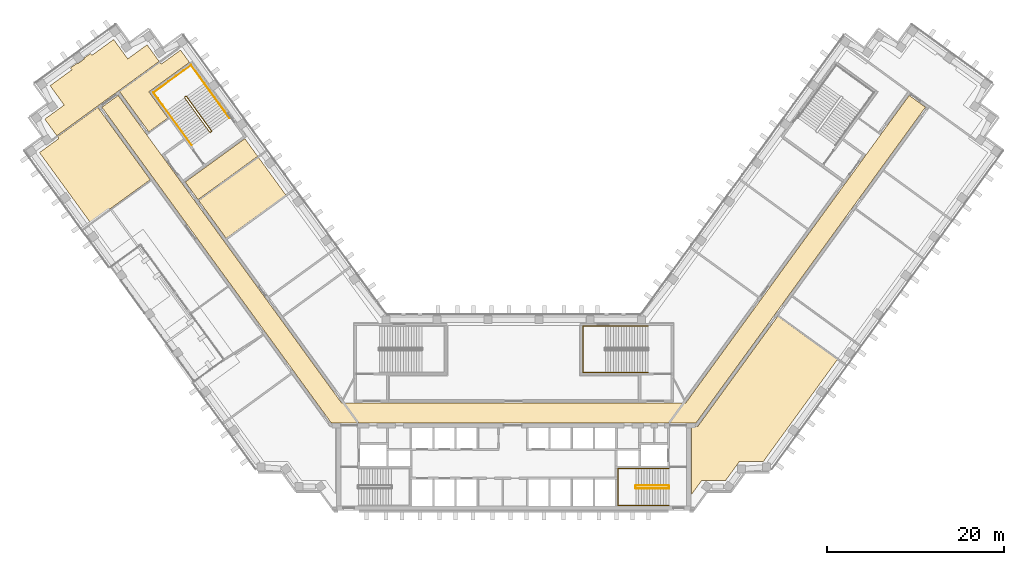
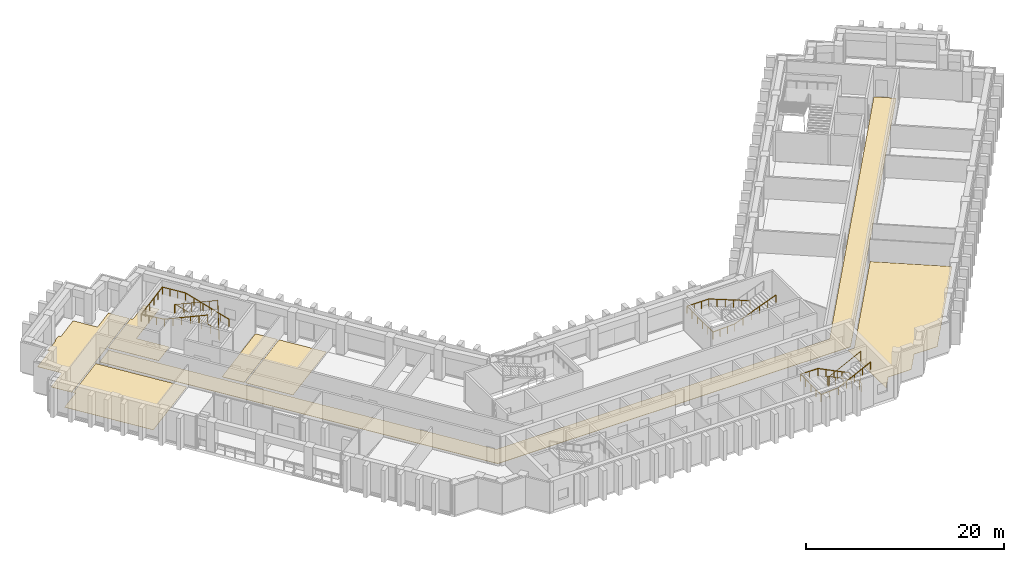
# One storey, part 15 of 16: 7 coverings, 5 railings.
"""IFC4 building model written with IfcOpenShell, lengths in metres."""

from ifc_helpers import new_model, si_unit, direction, frame, origin, origin_2d, place, context, subcontext, project, spatial, polyline, circle, outline, extrude, material, layer, layer_set, type_object, element, save


model = new_model("IFC4")

# Units and contexts
model_context = context("Model", 3, precision=1e-05, world=origin(), true_north=direction((0.0, 1.0)))
body_context = subcontext(model_context, "Body", "Model", "MODEL_VIEW")
ifc_project = project(units=[si_unit("LENGTHUNIT", "METRE"), si_unit("AREAUNIT", "SQUARE_METRE"), si_unit("VOLUMEUNIT", "CUBIC_METRE"), si_unit("PLANEANGLEUNIT", "RADIAN"), si_unit("MASSUNIT", "GRAM", prefix="KILO")], contexts=[model_context])

# Site, building, storey
site_placement = place(None, origin())
site = spatial("IfcSite", under=ifc_project, at=site_placement, CompositionType="ELEMENT")
building_placement = place(site_placement, origin())
building = spatial("IfcBuilding", under=site, at=building_placement, Name="Quipu Civic Tower", CompositionType="ELEMENT")
storey_placement = place(building_placement, frame((0.0, 0.0, 51.0)))
storey = spatial("IfcBuildingStorey", under=building, at=storey_placement, Name="L11", CompositionType="ELEMENT", Elevation=51.0)

# Coverings
ifc_material_1 = material(Name="Carpet tile on raised access floor")
ifc_layer_1 = layer(ifc_material_1, 0.02001953125)
ifc_layer_set_1 = layer_set([ifc_layer_1], Name="Carpet tile on raised access floor")
covering_type_1 = type_object("IfcCoveringType", Name="Carpet tile floor finish 20", PredefinedType="FLOORING", material=ifc_layer_set_1)
covering_1_placement = place(storey_placement, origin())
element("IfcCovering", 1, at=covering_1_placement, inside=storey, type_object=covering_type_1, Name="Carpet tile floor finish 20", PredefinedType="FLOORING", context=body_context, shape_type="SweptSolid", body=[
    extrude(outline(polyline([(-44.445068359375, 36.23193359375), (-39.906005859375, 39.530029296875), (-39.757080078125, 39.327880859375), (-37.573974609375, 40.9130859375), (-36.570068359375, 39.530029296875), (-41.139892578125, 36.208984375), (-38.998046875, 33.260009765625), (-41.15087890625, 31.697021484375), (-44.445068359375, 36.23193359375)])), origin(), (0.0, 0.0, 1.0), 0.02001953125),
])
covering_2_placement = place(storey_placement, origin())
element("IfcCovering", 2, at=covering_2_placement, inside=storey, type_object=covering_type_1, Name="Carpet tile floor finish 20", PredefinedType="FLOORING", context=body_context, shape_type="SweptSolid", body=[
    extrude(outline(polyline([(-53.47998046875, 29.35791015625), (-51.298095703125, 30.943115234375), (-51.443115234375, 31.14599609375), (-46.904052734375, 34.444091796875), (-40.988037109375, 26.301025390625), (-47.7119140625, 21.41796875), (-53.47998046875, 29.35791015625)])), origin(), (0.0, 0.0, 1.0), 0.02001953125),
])
covering_3_placement = place(storey_placement, origin())
element("IfcCovering", 3, at=covering_3_placement, inside=storey, type_object=covering_type_1, Name="Carpet tile floor finish 20", PredefinedType="FLOORING", context=body_context, shape_type="SweptSolid", body=[
    extrude(outline(polyline([(20.070068359375, -9.195068359375), (20.070068359375, -1.52001953125), (20.77490234375, -1.51904296875), (29.7958984375, 10.89794921875), (36.52001953125, 6.013916015625), (28.181884765625, -5.4609375), (25.48193359375, -5.4619140625), (25.2080078125, -5.840087890625), (25.205078125, -5.841064453125), (25.200927734375, -5.843017578125), (25.197021484375, -5.844970703125), (25.193115234375, -5.847900390625), (25.18896484375, -5.85205078125), (25.18603515625, -5.85498046875), (25.18310546875, -5.85888671875), (25.179931640625, -5.863037109375), (25.177978515625, -5.867919921875), (25.177001953125, -5.8720703125), (25.175048828125, -5.876953125), (25.175048828125, -5.882080078125), (25.174072265625, -5.885986328125), (23.89501953125, -7.64599609375), (21.721923828125, -7.64599609375), (21.721923828125, -7.64599609375), (21.718017578125, -7.64306640625), (21.712890625, -7.64111328125), (21.708984375, -7.638916015625), (21.7041015625, -7.637939453125), (21.698974609375, -7.636962890625), (21.694091796875, -7.635986328125), (21.68896484375, -7.636962890625), (21.68408203125, -7.636962890625), (21.679931640625, -7.637939453125), (21.675048828125, -7.639892578125), (21.669921875, -7.64111328125), (21.666015625, -7.64404296875), (21.6630859375, -7.64599609375), (21.196044921875, -7.64599609375), (20.070068359375, -9.195068359375)])), origin(), (0.0, 0.0, 1.0), 0.02001953125),
])
covering_4_placement = place(storey_placement, origin())
element("IfcCovering", 4, at=covering_4_placement, inside=storey, type_object=covering_type_1, Name="Carpet tile floor finish 20", PredefinedType="FLOORING", context=body_context, shape_type="SweptSolid", body=[
    extrude(outline(polyline([(-35.512939453125, 23.93896484375), (-28.7900390625, 28.822021484375), (-25.698974609375, 24.56689453125), (-32.422119140625, 19.68310546875), (-35.512939453125, 23.93896484375)])), origin(), (0.0, 0.0, 1.0), 0.02001953125),
])
covering_5_placement = place(storey_placement, origin())
element("IfcCovering", 5, at=covering_5_placement, inside=storey, type_object=covering_type_1, Name="Carpet tile floor finish 20", PredefinedType="FLOORING", context=body_context, shape_type="SweptSolid", body=[
    extrude(outline(polyline([(-52.883056640625, 33.12890625), (-50.698974609375, 34.717041015625), (-52.284912109375, 36.90087890625), (-49.826904296875, 38.68603515625), (-49.97900390625, 38.89697265625), (-49.259033203125, 39.4208984375), (-49.236083984375, 39.388916015625), (-49.23291015625, 39.385009765625), (-49.22900390625, 39.382080078125), (-49.22607421875, 39.3779296875), (-49.220947265625, 39.3759765625), (-49.217041015625, 39.373046875), (-49.212890625, 39.37109375), (-49.2080078125, 39.3701171875), (-49.202880859375, 39.368896484375), (-49.197998046875, 39.367919921875), (-49.193115234375, 39.367919921875), (-49.18896484375, 39.368896484375), (-49.18408203125, 39.3701171875), (-49.178955078125, 39.37109375), (-49.174072265625, 39.373046875), (-49.169921875, 39.375), (-49.166015625, 39.3779296875), (-48.43798828125, 39.906982421875), (-48.43408203125, 39.909912109375), (-48.430908203125, 39.9130859375), (-48.427001953125, 39.9169921875), (-48.425048828125, 39.9208984375), (-48.422119140625, 39.926025390625), (-48.419921875, 39.929931640625), (-48.4189453125, 39.93505859375), (-48.41796875, 39.93994140625), (-48.4169921875, 39.944091796875), (-48.4169921875, 39.948974609375), (-48.41796875, 39.9541015625), (-48.4189453125, 39.958984375), (-48.419921875, 39.964111328125), (-48.422119140625, 39.968017578125), (-48.424072265625, 39.972900390625), (-48.427001953125, 39.97705078125), (-48.449951171875, 40.008056640625), (-47.72900390625, 40.531982421875), (-47.574951171875, 40.322021484375), (-45.116943359375, 42.10791015625), (-43.531982421875, 39.925048828125), (-41.346923828125, 41.510986328125), (-39.989013671875, 39.64208984375), (-51.52587890625, 31.260009765625), (-52.883056640625, 33.12890625)])), origin(), (0.0, 0.0, 1.0), 0.02001953125),
])
ifc_material_2 = material(Name="Ceramic floor tile")
ifc_layer_2 = layer(ifc_material_2, 0.030029296875)
ifc_layer_set_2 = layer_set([ifc_layer_2], Name="Ceramic floor tile")
covering_type_2 = type_object("IfcCoveringType", Name="Ceramic tile floor finish 30", PredefinedType="FLOORING", material=ifc_layer_set_2)
covering_6_placement = place(storey_placement, origin())
element("IfcCovering", 6, at=covering_6_placement, inside=storey, type_object=covering_type_2, Name="Ceramic tile floor finish 30", PredefinedType="FLOORING", context=body_context, shape_type="SweptSolid", body=[
    extrude(outline(polyline([(-37.0380859375, 26.0380859375), (-30.31494140625, 30.922119140625), (-28.873046875, 28.93505859375), (-35.595947265625, 24.052001953125), (-37.0380859375, 26.0380859375)])), origin(), (0.0, 0.0, 1.0), 0.030029296875),
])

# Railings
ifc_material_3 = material(Name="Stainless steel", Category="steel")
railing_type_1 = type_object("IfcRailingType", Name="Stair guard 1100", PredefinedType="GUARDRAIL", material=ifc_material_3)
railing_1_placement = place(storey_placement, frame((17.5, -8.199951171875, 0.15380859375)))
element("IfcRailing", 7, at=railing_1_placement, inside=storey, type_object=railing_type_1, Name="Stair 2 guard", PredefinedType="GUARDRAIL", context=body_context, shape_type="SweptSolid", body=[
    extrude(circle(Radius=0.02392578125, at=origin_2d()), frame((0.0, 0.0, 1.076171875), z_axis=(-0.895751851347, 0.0, 0.444554407028), x_axis=(0.0, -1.0, 0.0)), (0.0, 0.0, 1.0), 4.15283203125),
    extrude(circle(Radius=0.02392578125, at=origin_2d()), frame((-3.719970703125, 0.0, 2.92236328125), z_axis=(-0.707106781187, -0.707106781187, 0.0), x_axis=(0.707106781187, -0.707106781187, 0.0)), (0.0, 0.0, 1.0), 0.07080078125),
    extrude(circle(Radius=0.02392578125, at=origin_2d()), frame((-3.77001953125, -0.050048828125, 2.92236328125), z_axis=(0.0, -1.0, 0.0), x_axis=(1.0, 0.0, 0.0)), (0.0, 0.0, 1.0), 0.25),
    extrude(circle(Radius=0.02392578125, at=origin_2d()), frame((-3.77001953125, -0.300048828125, 2.92236328125), z_axis=(0.295599637079, -0.295599637079, 0.908428152975), x_axis=(0.707106781187, 0.707106781187, 0.0)), (0.0, 0.0, 1.0), 0.16943359375),
    extrude(circle(Radius=0.02392578125, at=origin_2d()), frame((-3.719970703125, -0.35009765625, 3.076171875), z_axis=(0.895751851347, 0.0, 0.444554407028), x_axis=(0.0, 1.0, 0.0)), (0.0, 0.0, 1.0), 4.15283203125),
    extrude(circle(Radius=0.02392578125, at=origin_2d()), frame((0.0, -0.35009765625, 4.92236328125), z_axis=(0.012476181752, 0.074796231092, -0.997120789425), x_axis=(-0.986372223864, 0.164529134168, 0.0)), (0.0, 0.0, 1.0), 4.011474609375),
    extrude(circle(Radius=0.02392578125, at=origin_2d()), frame((0.050048828125, -0.050048828125, 0.92236328125), z_axis=(0.0, -1.0, 0.0), x_axis=(1.0, 0.0, 0.0)), (0.0, 0.0, 1.0), 0.25),
    extrude(circle(Radius=0.02099609375, at=origin_2d()), origin(), (0.0, 0.0, 1.0), 1.052001953125),
    extrude(circle(Radius=0.02099609375, at=origin_2d()), frame((-0.929931640625, 0.0, 0.46142578125)), (0.0, 0.0, 1.0), 1.052001953125),
    extrude(circle(Radius=0.02099609375, at=origin_2d()), frame((-1.85986328125, 0.0, 0.923095703125)), (0.0, 0.0, 1.0), 1.052001953125),
    extrude(circle(Radius=0.02099609375, at=origin_2d()), frame((-2.7900390625, 0.0, 1.384765625)), (0.0, 0.0, 1.0), 1.052001953125),
    extrude(circle(Radius=0.02099609375, at=origin_2d()), frame((-3.719970703125, 0.0, 1.84619140625)), (0.0, 0.0, 1.0), 1.052001953125),
    extrude(circle(Radius=0.02099609375, at=origin_2d()), frame((-3.77001953125, -0.050048828125, 1.84619140625)), (0.0, 0.0, 1.0), 1.052001953125),
    extrude(circle(Radius=0.02099609375, at=origin_2d()), frame((-3.77001953125, -0.300048828125, 1.84619140625)), (0.0, 0.0, 1.0), 1.052001953125),
    extrude(circle(Radius=0.02099609375, at=origin_2d()), frame((-3.719970703125, -0.35009765625, 2.0)), (0.0, 0.0, 1.0), 1.052001953125),
    extrude(circle(Radius=0.02099609375, at=origin_2d()), frame((-2.7900390625, -0.35009765625, 2.46142578125)), (0.0, 0.0, 1.0), 1.052001953125),
    extrude(circle(Radius=0.02099609375, at=origin_2d()), frame((-1.85986328125, -0.35009765625, 2.923095703125)), (0.0, 0.0, 1.0), 1.052001953125),
    extrude(circle(Radius=0.02099609375, at=origin_2d()), frame((-0.929931640625, -0.35009765625, 3.384765625)), (0.0, 0.0, 1.0), 1.052001953125),
    extrude(circle(Radius=0.02099609375, at=origin_2d()), frame((0.0, -0.35009765625, 3.84619140625)), (0.0, 0.0, 1.0), 1.052001953125),
    extrude(circle(Radius=0.02099609375, at=origin_2d()), frame((0.012451171875, -0.275146484375, 2.84619140625)), (0.0, 0.0, 1.0), 1.052001953125),
    extrude(circle(Radius=0.02099609375, at=origin_2d()), frame((0.02490234375, -0.2001953125, 1.84619140625)), (0.0, 0.0, 1.0), 1.052001953125),
    extrude(circle(Radius=0.02099609375, at=origin_2d()), frame((0.03759765625, -0.125, 0.84619140625)), (0.0, 0.0, 1.0), 1.052001953125),
    extrude(circle(Radius=0.02099609375, at=origin_2d()), frame((0.050048828125, -0.050048828125, -0.15380859375)), (0.0, 0.0, 1.0), 1.052001953125),
    extrude(circle(Radius=0.02099609375, at=origin_2d()), frame((0.050048828125, -0.300048828125, -0.15380859375)), (0.0, 0.0, 1.0), 1.052001953125),
])
railing_2_placement = place(storey_placement, frame((-34.078857421875, 31.79736328125, 0.11767578125)))
element("IfcRailing", 8, at=railing_2_placement, inside=storey, type_object=railing_type_1, Name="Stair 6 guard", PredefinedType="GUARDRAIL", context=body_context, shape_type="SweptSolid", body=[
    extrude(circle(Radius=0.02392578125, at=origin_2d()), frame((0.0, 0.0, 1.076171875), z_axis=(-0.54720100349, 0.753182689643, 0.365084781664), x_axis=(-0.809026317077, -0.587772420479, 0.0)), (0.0, 0.0, 1.0), 5.15576171875),
    extrude(circle(Radius=0.02392578125, at=origin_2d()), frame((-2.8212890625, 3.88330078125, 2.95849609375), z_axis=(-0.987846838465, 0.155430446612, 0.0), x_axis=(-0.155430446612, -0.987846838465, 0.0)), (0.0, 0.0, 1.0), 0.07080078125),
    extrude(circle(Radius=0.02392578125, at=origin_2d()), frame((-2.89111328125, 3.894287109375, 2.95849609375), z_axis=(-0.809649071907, -0.586914287065, 0.0), x_axis=(0.586914287065, -0.809649071907, 0.0)), (0.0, 0.0, 1.0), 0.150146484375),
    extrude(circle(Radius=0.02392578125, at=origin_2d()), frame((-3.0126953125, 3.80615234375, 2.95849609375), z_axis=(-0.080033047627, -0.508654480474, 0.857242865693), x_axis=(0.987846838465, -0.155430446612, 0.0)), (0.0, 0.0, 1.0), 0.13720703125),
    extrude(circle(Radius=0.02392578125, at=origin_2d()), frame((-3.023681640625, 3.736328125, 3.076171875), z_axis=(0.54720100349, -0.753182689643, 0.365084781664), x_axis=(0.809026317077, 0.587772420479, 0.0)), (0.0, 0.0, 1.0), 5.15576171875),
    extrude(circle(Radius=0.02392578125, at=origin_2d()), frame((-0.202392578125, -0.14697265625, 4.95849609375), z_axis=(0.047788004556, 0.019261491632, -0.998671768681), x_axis=(-0.373837031195, 0.92749440651, 0.0)), (0.0, 0.0, 1.0), 4.00537109375),
    extrude(circle(Radius=0.02392578125, at=origin_2d()), frame((-0.010986328125, -0.06982421875, 0.95849609375), z_axis=(-0.809087927272, -0.587687609145, 0.0), x_axis=(0.587687609145, -0.809087927272, 0.0)), (0.0, 0.0, 1.0), 0.14990234375),
    extrude(circle(Radius=0.02099609375, at=origin_2d()), origin(), (0.0, 0.0, 1.0), 1.052001953125),
    extrude(circle(Radius=0.02099609375, at=origin_2d()), frame((-0.564208984375, 0.776611328125, 0.37646484375)), (0.0, 0.0, 1.0), 1.052001953125),
    extrude(circle(Radius=0.02099609375, at=origin_2d()), frame((-1.12841796875, 1.55322265625, 0.7529296875)), (0.0, 0.0, 1.0), 1.052001953125),
    extrude(circle(Radius=0.02099609375, at=origin_2d()), frame((-1.69287109375, 2.330078125, 1.12939453125)), (0.0, 0.0, 1.0), 1.052001953125),
    extrude(circle(Radius=0.02099609375, at=origin_2d()), frame((-2.257080078125, 3.106689453125, 1.505859375)), (0.0, 0.0, 1.0), 1.052001953125),
    extrude(circle(Radius=0.02099609375, at=origin_2d()), frame((-2.8212890625, 3.88330078125, 1.88232421875)), (0.0, 0.0, 1.0), 1.052001953125),
    extrude(circle(Radius=0.02099609375, at=origin_2d()), frame((-2.89111328125, 3.894287109375, 1.88232421875)), (0.0, 0.0, 1.0), 1.052001953125),
    extrude(circle(Radius=0.02099609375, at=origin_2d()), frame((-3.0126953125, 3.80615234375, 1.88232421875)), (0.0, 0.0, 1.0), 1.052001953125),
    extrude(circle(Radius=0.02099609375, at=origin_2d()), frame((-3.023681640625, 3.736328125, 2.0)), (0.0, 0.0, 1.0), 1.052001953125),
    extrude(circle(Radius=0.02099609375, at=origin_2d()), frame((-2.45947265625, 2.959716796875, 2.37646484375)), (0.0, 0.0, 1.0), 1.052001953125),
    extrude(circle(Radius=0.02099609375, at=origin_2d()), frame((-1.895263671875, 2.18310546875, 2.7529296875)), (0.0, 0.0, 1.0), 1.052001953125),
    extrude(circle(Radius=0.02099609375, at=origin_2d()), frame((-1.330810546875, 1.40625, 3.12939453125)), (0.0, 0.0, 1.0), 1.052001953125),
    extrude(circle(Radius=0.02099609375, at=origin_2d()), frame((-0.7666015625, 0.629638671875, 3.505859375)), (0.0, 0.0, 1.0), 1.052001953125),
    extrude(circle(Radius=0.02099609375, at=origin_2d()), frame((-0.202392578125, -0.14697265625, 3.88232421875)), (0.0, 0.0, 1.0), 1.052001953125),
    extrude(circle(Radius=0.02099609375, at=origin_2d()), frame((-0.154541015625, -0.127685546875, 2.88232421875)), (0.0, 0.0, 1.0), 1.052001953125),
    extrude(circle(Radius=0.02099609375, at=origin_2d()), frame((-0.106689453125, -0.1083984375, 1.88232421875)), (0.0, 0.0, 1.0), 1.052001953125),
    extrude(circle(Radius=0.02099609375, at=origin_2d()), frame((-0.058837890625, -0.089111328125, 0.88232421875)), (0.0, 0.0, 1.0), 1.052001953125),
    extrude(circle(Radius=0.02099609375, at=origin_2d()), frame((-0.010986328125, -0.06982421875, -0.11767578125)), (0.0, 0.0, 1.0), 1.052001953125),
    extrude(circle(Radius=0.02099609375, at=origin_2d()), frame((-0.13232421875, -0.157958984375, -0.11767578125)), (0.0, 0.0, 1.0), 1.052001953125),
])
ifc_material_4 = material(Name="Stainless steel", Category="steel")
railing_type_2 = type_object("IfcRailingType", Name="Stair handrail", PredefinedType="HANDRAIL", material=ifc_material_4)
railing_3_placement = place(storey_placement, frame((17.5, -6.300048828125, 0.15380859375)))
element("IfcRailing", 9, at=railing_3_placement, inside=storey, type_object=railing_type_2, Name="Stair 2 handrail", PredefinedType="HANDRAIL", context=body_context, shape_type="SweptSolid", body=[
    extrude(circle(Radius=0.02392578125, at=origin_2d()), frame((0.0, 0.0, 0.8759765625), z_axis=(-0.895751851347, 0.0, 0.444554407028), x_axis=(0.0, -1.0, 0.0)), (0.0, 0.0, 1.0), 4.15283203125),
    extrude(circle(Radius=0.02392578125, at=origin_2d()), frame((-3.719970703125, 0.0, 2.72216796875), z_axis=(-1.0, 0.0, 0.0), x_axis=(0.0, -1.0, 0.0)), (0.0, 0.0, 1.0), 2.030029296875),
    extrude(circle(Radius=0.02392578125, at=origin_2d()), frame((-5.75, 0.0, 2.72216796875), z_axis=(0.0, -1.0, 0.0), x_axis=(1.0, 0.0, 0.0)), (0.0, 0.0, 1.0), 4.14990234375),
    extrude(circle(Radius=0.02392578125, at=origin_2d()), frame((-5.75, -4.14990234375, 2.72216796875), z_axis=(0.997142003663, 0.0, 0.075550145798), x_axis=(0.0, 1.0, 0.0)), (0.0, 0.0, 1.0), 2.035888671875),
    extrude(circle(Radius=0.02392578125, at=origin_2d()), frame((-3.719970703125, -4.14990234375, 2.8759765625), z_axis=(0.895751851347, 0.0, 0.444554407028), x_axis=(0.0, 1.0, 0.0)), (0.0, 0.0, 1.0), 4.15283203125),
    extrude(circle(Radius=0.02099609375, at=origin_2d()), origin(), (0.0, 0.0, 1.0), 0.851806640625),
    extrude(circle(Radius=0.02099609375, at=origin_2d()), frame((-0.929931640625, 0.0, 0.46142578125)), (0.0, 0.0, 1.0), 0.851806640625),
    extrude(circle(Radius=0.02099609375, at=origin_2d()), frame((-1.85986328125, 0.0, 0.923095703125)), (0.0, 0.0, 1.0), 0.851806640625),
    extrude(circle(Radius=0.02099609375, at=origin_2d()), frame((-2.7900390625, 0.0, 1.384765625)), (0.0, 0.0, 1.0), 0.851806640625),
    extrude(circle(Radius=0.02099609375, at=origin_2d()), frame((-3.719970703125, 0.0, 1.84619140625)), (0.0, 0.0, 1.0), 0.851806640625),
    extrude(circle(Radius=0.02099609375, at=origin_2d()), frame((-4.73486328125, 0.0, 1.84619140625)), (0.0, 0.0, 1.0), 0.851806640625),
    extrude(circle(Radius=0.02099609375, at=origin_2d()), frame((-5.75, 0.0, 1.84619140625)), (0.0, 0.0, 1.0), 0.851806640625),
    extrude(circle(Radius=0.02099609375, at=origin_2d()), frame((-5.75, -1.03759765625, 1.84619140625)), (0.0, 0.0, 1.0), 0.851806640625),
    extrude(circle(Radius=0.02099609375, at=origin_2d()), frame((-5.75, -2.074951171875, 1.84619140625)), (0.0, 0.0, 1.0), 0.851806640625),
    extrude(circle(Radius=0.02099609375, at=origin_2d()), frame((-5.75, -3.1123046875, 1.84619140625)), (0.0, 0.0, 1.0), 0.851806640625),
    extrude(circle(Radius=0.02099609375, at=origin_2d()), frame((-5.75, -4.14990234375, 1.84619140625)), (0.0, 0.0, 1.0), 0.851806640625),
    extrude(circle(Radius=0.02099609375, at=origin_2d()), frame((-4.73486328125, -4.14990234375, 1.923095703125)), (0.0, 0.0, 1.0), 0.851806640625),
    extrude(circle(Radius=0.02099609375, at=origin_2d()), frame((-3.719970703125, -4.14990234375, 2.0)), (0.0, 0.0, 1.0), 0.851806640625),
    extrude(circle(Radius=0.02099609375, at=origin_2d()), frame((-2.7900390625, -4.14990234375, 2.46142578125)), (0.0, 0.0, 1.0), 0.851806640625),
    extrude(circle(Radius=0.02099609375, at=origin_2d()), frame((-1.85986328125, -4.14990234375, 2.923095703125)), (0.0, 0.0, 1.0), 0.851806640625),
    extrude(circle(Radius=0.02099609375, at=origin_2d()), frame((-0.929931640625, -4.14990234375, 3.384765625)), (0.0, 0.0, 1.0), 0.851806640625),
    extrude(circle(Radius=0.02099609375, at=origin_2d()), frame((0.0, -4.14990234375, 3.84619140625)), (0.0, 0.0, 1.0), 0.851806640625),
])
railing_4_placement = place(storey_placement, frame((15.14990234375, 9.800048828125, 0.11767578125)))
element("IfcRailing", 10, at=railing_4_placement, inside=storey, type_object=railing_type_2, Name="Stair 4 handrail", PredefinedType="HANDRAIL", context=body_context, shape_type="SweptSolid", body=[
    extrude(circle(Radius=0.02392578125, at=origin_2d()), frame((0.0, 0.0, 0.8759765625), z_axis=(-0.930970042603, 0.0, 0.365095576219), x_axis=(0.0, -1.0, 0.0)), (0.0, 0.0, 1.0), 5.15576171875),
    extrude(circle(Radius=0.02392578125, at=origin_2d()), frame((-4.7998046875, 0.0, 2.75830078125), z_axis=(-1.0, 0.0, 0.0), x_axis=(0.0, -1.0, 0.0)), (0.0, 0.0, 1.0), 2.550048828125),
    extrude(circle(Radius=0.02392578125, at=origin_2d()), frame((-7.349853515625, 0.0, 2.75830078125), z_axis=(0.0, -1.0, 0.0), x_axis=(1.0, 0.0, 0.0)), (0.0, 0.0, 1.0), 5.25),
    extrude(circle(Radius=0.02392578125, at=origin_2d()), frame((-7.349853515625, -5.25, 2.75830078125), z_axis=(0.998936948642, 0.0, 0.04609742549), x_axis=(0.0, 1.0, 0.0)), (0.0, 0.0, 1.0), 2.552734375),
    extrude(circle(Radius=0.02392578125, at=origin_2d()), frame((-4.7998046875, -5.25, 2.8759765625), z_axis=(0.930970042603, 0.0, 0.365095576219), x_axis=(0.0, 1.0, 0.0)), (0.0, 0.0, 1.0), 5.15576171875),
    extrude(circle(Radius=0.02099609375, at=origin_2d()), origin(), (0.0, 0.0, 1.0), 0.851806640625),
    extrude(circle(Radius=0.02099609375, at=origin_2d()), frame((-0.9599609375, 0.0, 0.37646484375)), (0.0, 0.0, 1.0), 0.851806640625),
    extrude(circle(Radius=0.02099609375, at=origin_2d()), frame((-1.919921875, 0.0, 0.7529296875)), (0.0, 0.0, 1.0), 0.851806640625),
    extrude(circle(Radius=0.02099609375, at=origin_2d()), frame((-2.8798828125, 0.0, 1.12939453125)), (0.0, 0.0, 1.0), 0.851806640625),
    extrude(circle(Radius=0.02099609375, at=origin_2d()), frame((-3.83984375, 0.0, 1.505859375)), (0.0, 0.0, 1.0), 0.851806640625),
    extrude(circle(Radius=0.02099609375, at=origin_2d()), frame((-4.7998046875, 0.0, 1.88232421875)), (0.0, 0.0, 1.0), 0.851806640625),
    extrude(circle(Radius=0.02099609375, at=origin_2d()), frame((-5.64990234375, 0.0, 1.88232421875)), (0.0, 0.0, 1.0), 0.851806640625),
    extrude(circle(Radius=0.02099609375, at=origin_2d()), frame((-6.499755859375, 0.0, 1.88232421875)), (0.0, 0.0, 1.0), 0.851806640625),
    extrude(circle(Radius=0.02099609375, at=origin_2d()), frame((-7.349853515625, 0.0, 1.88232421875)), (0.0, 0.0, 1.0), 0.851806640625),
    extrude(circle(Radius=0.02099609375, at=origin_2d()), frame((-7.349853515625, -1.050048828125, 1.88232421875)), (0.0, 0.0, 1.0), 0.851806640625),
    extrude(circle(Radius=0.02099609375, at=origin_2d()), frame((-7.349853515625, -2.10009765625, 1.88232421875)), (0.0, 0.0, 1.0), 0.851806640625),
    extrude(circle(Radius=0.02099609375, at=origin_2d()), frame((-7.349853515625, -3.14990234375, 1.88232421875)), (0.0, 0.0, 1.0), 0.851806640625),
    extrude(circle(Radius=0.02099609375, at=origin_2d()), frame((-7.349853515625, -4.199951171875, 1.88232421875)), (0.0, 0.0, 1.0), 0.851806640625),
    extrude(circle(Radius=0.02099609375, at=origin_2d()), frame((-7.349853515625, -5.25, 1.88232421875)), (0.0, 0.0, 1.0), 0.851806640625),
    extrude(circle(Radius=0.02099609375, at=origin_2d()), frame((-6.499755859375, -5.25, 1.921630859375)), (0.0, 0.0, 1.0), 0.851806640625),
    extrude(circle(Radius=0.02099609375, at=origin_2d()), frame((-5.64990234375, -5.25, 1.960693359375)), (0.0, 0.0, 1.0), 0.851806640625),
    extrude(circle(Radius=0.02099609375, at=origin_2d()), frame((-4.7998046875, -5.25, 2.0)), (0.0, 0.0, 1.0), 0.851806640625),
    extrude(circle(Radius=0.02099609375, at=origin_2d()), frame((-3.83984375, -5.25, 2.37646484375)), (0.0, 0.0, 1.0), 0.851806640625),
    extrude(circle(Radius=0.02099609375, at=origin_2d()), frame((-2.8798828125, -5.25, 2.7529296875)), (0.0, 0.0, 1.0), 0.851806640625),
    extrude(circle(Radius=0.02099609375, at=origin_2d()), frame((-1.919921875, -5.25, 3.12939453125)), (0.0, 0.0, 1.0), 0.851806640625),
    extrude(circle(Radius=0.02099609375, at=origin_2d()), frame((-0.9599609375, -5.25, 3.505859375)), (0.0, 0.0, 1.0), 0.851806640625),
    extrude(circle(Radius=0.02099609375, at=origin_2d()), frame((0.0, -5.25, 3.88232421875)), (0.0, 0.0, 1.0), 0.851806640625),
])
railing_5_placement = place(storey_placement, frame((-32.056396484375, 33.266845703125, 0.11767578125)))
element("IfcRailing", 11, at=railing_5_placement, inside=storey, type_object=railing_type_2, Name="Stair 6 handrail", PredefinedType="HANDRAIL", context=body_context, shape_type="SweptSolid", body=[
    extrude(circle(Radius=0.02392578125, at=origin_2d()), frame((0.0, 0.0, 0.8759765625), z_axis=(-0.54720100349, 0.753182689643, 0.365084781664), x_axis=(-0.809026317077, -0.587772420479, 0.0)), (0.0, 0.0, 1.0), 5.15576171875),
    extrude(circle(Radius=0.02392578125, at=origin_2d()), frame((-2.8212890625, 3.88330078125, 2.75830078125), z_axis=(-0.587767432704, 0.809029940764, 0.0), x_axis=(-0.809029940764, -0.587767432704, 0.0)), (0.0, 0.0, 1.0), 2.550048828125),
    extrude(circle(Radius=0.02392578125, at=origin_2d()), frame((-4.320068359375, 5.9462890625, 2.75830078125), z_axis=(-0.809009483706, -0.587795589702, 0.0), x_axis=(0.587795589702, -0.809009483706, 0.0)), (0.0, 0.0, 1.0), 5.25),
    extrude(circle(Radius=0.02392578125, at=origin_2d()), frame((-8.5673828125, 2.8603515625, 2.75830078125), z_axis=(0.587142558822, -0.808169835812, 0.046099155132), x_axis=(0.809029940764, 0.587767432704, 0.0)), (0.0, 0.0, 1.0), 2.552734375),
    extrude(circle(Radius=0.02392578125, at=origin_2d()), frame((-7.068603515625, 0.79736328125, 2.8759765625), z_axis=(0.54720100349, -0.753182689643, 0.365084781664), x_axis=(0.809026317077, 0.587772420479, 0.0)), (0.0, 0.0, 1.0), 5.15576171875),
    extrude(circle(Radius=0.02099609375, at=origin_2d()), origin(), (0.0, 0.0, 1.0), 0.851806640625),
    extrude(circle(Radius=0.02099609375, at=origin_2d()), frame((-0.564208984375, 0.776611328125, 0.37646484375)), (0.0, 0.0, 1.0), 0.851806640625),
    extrude(circle(Radius=0.02099609375, at=origin_2d()), frame((-1.12841796875, 1.55322265625, 0.7529296875)), (0.0, 0.0, 1.0), 0.851806640625),
    extrude(circle(Radius=0.02099609375, at=origin_2d()), frame((-1.69287109375, 2.330078125, 1.12939453125)), (0.0, 0.0, 1.0), 0.851806640625),
    extrude(circle(Radius=0.02099609375, at=origin_2d()), frame((-2.257080078125, 3.106689453125, 1.505859375)), (0.0, 0.0, 1.0), 0.851806640625),
    extrude(circle(Radius=0.02099609375, at=origin_2d()), frame((-2.8212890625, 3.88330078125, 1.88232421875)), (0.0, 0.0, 1.0), 0.851806640625),
    extrude(circle(Radius=0.02099609375, at=origin_2d()), frame((-3.32080078125, 4.571044921875, 1.88232421875)), (0.0, 0.0, 1.0), 0.851806640625),
    extrude(circle(Radius=0.02099609375, at=origin_2d()), frame((-3.820556640625, 5.258544921875, 1.88232421875)), (0.0, 0.0, 1.0), 0.851806640625),
    extrude(circle(Radius=0.02099609375, at=origin_2d()), frame((-4.320068359375, 5.9462890625, 1.88232421875)), (0.0, 0.0, 1.0), 0.851806640625),
    extrude(circle(Radius=0.02099609375, at=origin_2d()), frame((-5.16943359375, 5.3291015625, 1.88232421875)), (0.0, 0.0, 1.0), 0.851806640625),
    extrude(circle(Radius=0.02099609375, at=origin_2d()), frame((-6.01904296875, 4.7119140625, 1.88232421875)), (0.0, 0.0, 1.0), 0.851806640625),
    extrude(circle(Radius=0.02099609375, at=origin_2d()), frame((-6.868408203125, 4.0947265625, 1.88232421875)), (0.0, 0.0, 1.0), 0.851806640625),
    extrude(circle(Radius=0.02099609375, at=origin_2d()), frame((-7.718017578125, 3.4775390625, 1.88232421875)), (0.0, 0.0, 1.0), 0.851806640625),
    extrude(circle(Radius=0.02099609375, at=origin_2d()), frame((-8.5673828125, 2.8603515625, 1.88232421875)), (0.0, 0.0, 1.0), 0.851806640625),
    extrude(circle(Radius=0.02099609375, at=origin_2d()), frame((-8.06787109375, 2.172607421875, 1.921630859375)), (0.0, 0.0, 1.0), 0.851806640625),
    extrude(circle(Radius=0.02099609375, at=origin_2d()), frame((-7.568115234375, 1.485107421875, 1.960693359375)), (0.0, 0.0, 1.0), 0.851806640625),
    extrude(circle(Radius=0.02099609375, at=origin_2d()), frame((-7.068603515625, 0.79736328125, 2.0)), (0.0, 0.0, 1.0), 0.851806640625),
    extrude(circle(Radius=0.02099609375, at=origin_2d()), frame((-6.50439453125, 0.020751953125, 2.37646484375)), (0.0, 0.0, 1.0), 0.851806640625),
    extrude(circle(Radius=0.02099609375, at=origin_2d()), frame((-5.940185546875, -0.755859375, 2.7529296875)), (0.0, 0.0, 1.0), 0.851806640625),
    extrude(circle(Radius=0.02099609375, at=origin_2d()), frame((-5.375732421875, -1.53271484375, 3.12939453125)), (0.0, 0.0, 1.0), 0.851806640625),
    extrude(circle(Radius=0.02099609375, at=origin_2d()), frame((-4.8115234375, -2.309326171875, 3.505859375)), (0.0, 0.0, 1.0), 0.851806640625),
    extrude(circle(Radius=0.02099609375, at=origin_2d()), frame((-4.247314453125, -3.0859375, 3.88232421875)), (0.0, 0.0, 1.0), 0.851806640625),
])

# Covering
ifc_material_5 = material(Name="Terrazzo floor finish")
ifc_layer_3 = layer(ifc_material_5, 0.0400390625)
ifc_layer_set_3 = layer_set([ifc_layer_3], Name="Terrazzo floor finish")
covering_type_3 = type_object("IfcCoveringType", Name="Terrazzo floor finish 40", PredefinedType="FLOORING", material=ifc_layer_set_3)
covering_7_placement = place(storey_placement, origin())
element("IfcCovering", 12, at=covering_7_placement, inside=storey, type_object=covering_type_3, Name="Terrazzo floor finish 40", PredefinedType="FLOORING", context=body_context, shape_type="SweptSolid", body=[
    extrude(outline(polyline([(20.574951171875, -1.1298828125), (-20.574951171875, -1.1298828125), (-46.44091796875, 34.471923828125), (-44.613037109375, 35.800048828125), (-19.425048828125, 1.1298828125), (19.425048828125, 1.1298828125), (44.613037109375, 35.800048828125), (46.44091796875, 34.471923828125), (20.574951171875, -1.1298828125)])), origin(), (0.0, 0.0, 1.0), 0.0400390625),
])

save(model, "model.ifc")
